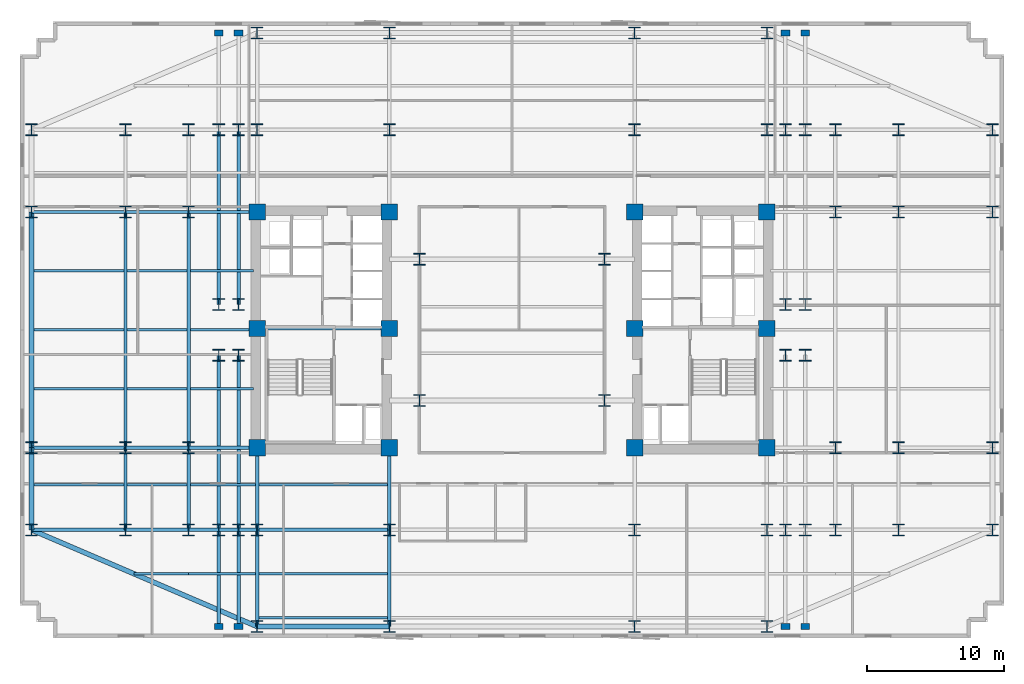
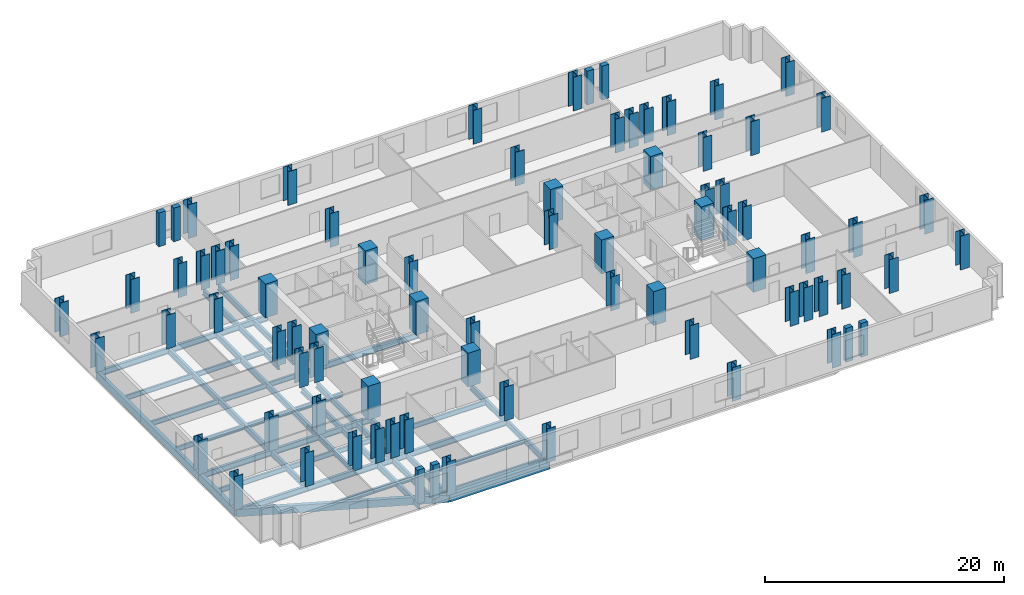
# One storey, part 1 of 10: 80 columns, 46 beams.
"""IFC4 building model written with IfcOpenShell, lengths in metres."""

from ifc_helpers import new_model, si_unit, direction, frame, origin, origin_2d, place, context, subcontext, project, spatial, rectangle, i_section, extrude, material, material_profile, profile_set, type_object, element, save


model = new_model("IFC4")

# Units and contexts
model_context = context("Model", 3, precision=1e-05, world=origin(), true_north=direction((0.0, 1.0)))
body_context = subcontext(model_context, "Body", "Model", "MODEL_VIEW")
ifc_project = project(units=[si_unit("LENGTHUNIT", "METRE"), si_unit("AREAUNIT", "SQUARE_METRE"), si_unit("VOLUMEUNIT", "CUBIC_METRE"), si_unit("PLANEANGLEUNIT", "RADIAN"), si_unit("MASSUNIT", "GRAM", prefix="KILO")], contexts=[model_context])

# Site, building, storey
site_placement = place(None, origin())
site = spatial("IfcSite", under=ifc_project, at=site_placement, CompositionType="ELEMENT")
building_placement = place(site_placement, origin())
building = spatial("IfcBuilding", under=site, at=building_placement, Name="Velakula Bourse", CompositionType="ELEMENT")
storey_placement = place(building_placement, frame((0.0, 0.0, 55.35009765625)))
storey = spatial("IfcBuildingStorey", under=building, at=storey_placement, Name="L14", CompositionType="ELEMENT", Elevation=55.35009765625)

# Columns
ifc_material_1 = material(Name="Concrete M70 (fck 70 MPa)", Category="concrete")
ifc_material_profile_1 = material_profile(ifc_material_1, rectangle(XDim=1.199951171875, YDim=1.199951171875, at=origin_2d()), Name="Concrete M70 (fck 70 MPa)")
ifc_profile_set_1 = profile_set([ifc_material_profile_1], Name="Concrete M70 (fck 70 MPa)")
column_type_1 = type_object("IfcColumnType", Name="COL-RC-1200", PredefinedType="COLUMN", material=ifc_profile_set_1)
for number, where, z_axis, x_axis, name in (
    (1, (-8.949951171875, -8.60009765625, 0.0), (0.0, 0.0, 1.0), (1.0, 0.0, 0.0), "L14 Core Boundary Column 01"),
    (2, (-8.949951171875, 0.10009765625, 0.0), (0.0, 0.0, 1.0), (1.0, 0.0, 0.0), "L14 Core Boundary Column 02"),
    (3, (-8.949951171875, 8.60009765625, 0.0), (0.0, 0.0, 1.0), (1.0, 0.0, 0.0), "L14 Core Boundary Column 03"),
    (4, (-18.60009765625, -8.60009765625, 0.0), (0.0, 0.0, 1.0), (1.0, 0.0, 0.0), "L14 Core Boundary Column 04"),
    (5, (-18.60009765625, 0.10009765625, 0.0), (0.0, 0.0, 1.0), (1.0, 0.0, 0.0), "L14 Core Boundary Column 05"),
    (6, (-18.60009765625, 8.60009765625, 0.0), (0.0, 0.0, 1.0), (1.0, 0.0, 0.0), "L14 Core Boundary Column 06"),
    (7, (8.949951171875, -8.60009765625, 0.0), (0.0, 0.0, 1.0), (1.0, 0.0, 0.0), "L14 Core Boundary Column 07"),
    (8, (8.949951171875, 0.10009765625, 0.0), (0.0, 0.0, 1.0), (1.0, 0.0, 0.0), "L14 Core Boundary Column 08"),
    (9, (8.949951171875, 8.60009765625, 0.0), (0.0, 0.0, 1.0), (1.0, 0.0, 0.0), "L14 Core Boundary Column 09"),
    (10, (18.60009765625, -8.60009765625, 0.0), (0.0, 0.0, 1.0), (1.0, 0.0, 0.0), "L14 Core Boundary Column 10"),
    (11, (18.60009765625, 0.10009765625, 0.0), (0.0, 0.0, 1.0), (1.0, 0.0, 0.0), "L14 Core Boundary Column 11"),
    (12, (18.60009765625, 8.60009765625, 0.0), (0.0, 0.0, 1.0), (1.0, 0.0, 0.0), "L14 Core Boundary Column 12"),
):
    element("IfcColumn", number, at=place(storey_placement, frame(where, z_axis=z_axis, x_axis=x_axis)), inside=storey, type_object=column_type_1, Name=name, PredefinedType="COLUMN", context=body_context, shape_type="SweptSolid", body=[
        extrude(rectangle(XDim=1.199951171875, YDim=1.199951171875, at=origin_2d()), origin(), (0.0, 0.0, 1.0), 3.449951171875),
    ])
ifc_material_2 = material(Name="Steel IS 2062 Grade 450 (E450)", Category="steel")
ifc_material_profile_2 = material_profile(ifc_material_2, i_section(OverallWidth=0.85009765625, OverallDepth=0.85009765625, WebThickness=0.031982421875, FlangeThickness=0.048095703125, at=origin_2d()), Name="Steel IS 2062 Grade 450 (E450)")
ifc_profile_set_2 = profile_set([ifc_material_profile_2], Name="Steel IS 2062 Grade 450 (E450)")
column_type_2 = type_object("IfcColumnType", Name="COL-STL-850", PredefinedType="COLUMN", material=ifc_profile_set_2)
for number, where, z_axis, x_axis, name in (
    (13, (-6.75, -5.14990234375, 0.0), (0.0, 0.0, 1.0), (1.0, 0.0, 0.0), "L14 Central Spine Column 01"),
    (14, (-6.75, 5.14990234375, 0.0), (0.0, 0.0, 1.0), (1.0, 0.0, 0.0), "L14 Central Spine Column 02"),
    (15, (6.75, -5.14990234375, 0.0), (0.0, 0.0, 1.0), (1.0, 0.0, 0.0), "L14 Central Spine Column 03"),
    (16, (6.75, 5.14990234375, 0.0), (0.0, 0.0, 1.0), (1.0, 0.0, 0.0), "L14 Central Spine Column 04"),
    (17, (-21.39990234375, -14.60009765625, 0.0), (0.0, 0.0, 1.0), (1.0, 0.0, 0.0), "L14 Tower Fulcrum Column 01"),
    (18, (-21.39990234375, 14.60009765625, 0.0), (0.0, 0.0, 1.0), (1.0, 0.0, 0.0), "L14 Tower Fulcrum Column 02"),
    (19, (-19.949951171875, -14.60009765625, 0.0), (0.0, 0.0, 1.0), (1.0, 0.0, 0.0), "L14 Tower Fulcrum Column 03"),
    (20, (-19.949951171875, 14.60009765625, 0.0), (0.0, 0.0, 1.0), (1.0, 0.0, 0.0), "L14 Tower Fulcrum Column 04"),
    (21, (-18.60009765625, -14.60009765625, 0.0), (0.0, 0.0, 1.0), (1.0, 0.0, 0.0), "L14 Tower Fulcrum Column 05"),
    (22, (-18.60009765625, 14.60009765625, 0.0), (0.0, 0.0, 1.0), (1.0, 0.0, 0.0), "L14 Tower Fulcrum Column 06"),
    (23, (-8.949951171875, -14.60009765625, 0.0), (0.0, 0.0, 1.0), (1.0, 0.0, 0.0), "L14 Tower Fulcrum Column 07"),
    (24, (-8.949951171875, 14.60009765625, 0.0), (0.0, 0.0, 1.0), (1.0, 0.0, 0.0), "L14 Tower Fulcrum Column 08"),
    (25, (8.949951171875, -14.60009765625, 0.0), (0.0, 0.0, 1.0), (1.0, 0.0, 0.0), "L14 Tower Fulcrum Column 09"),
    (26, (8.949951171875, 14.60009765625, 0.0), (0.0, 0.0, 1.0), (1.0, 0.0, 0.0), "L14 Tower Fulcrum Column 10"),
    (27, (18.60009765625, -14.60009765625, 0.0), (0.0, 0.0, 1.0), (1.0, 0.0, 0.0), "L14 Tower Fulcrum Column 11"),
    (28, (18.60009765625, 14.60009765625, 0.0), (0.0, 0.0, 1.0), (1.0, 0.0, 0.0), "L14 Tower Fulcrum Column 12"),
    (29, (19.949951171875, -14.60009765625, 0.0), (0.0, 0.0, 1.0), (1.0, 0.0, 0.0), "L14 Tower Fulcrum Column 13"),
    (30, (19.949951171875, 14.60009765625, 0.0), (0.0, 0.0, 1.0), (1.0, 0.0, 0.0), "L14 Tower Fulcrum Column 14"),
    (31, (21.39990234375, -14.60009765625, 0.0), (0.0, 0.0, 1.0), (1.0, 0.0, 0.0), "L14 Tower Fulcrum Column 15"),
    (32, (21.39990234375, 14.60009765625, 0.0), (0.0, 0.0, 1.0), (1.0, 0.0, 0.0), "L14 Tower Fulcrum Column 16"),
    (33, (-21.39990234375, -1.85009765625, 0.0), (0.0, 0.0, 1.0), (1.0, 0.0, 0.0), "L14 Tower Fulcrum Column 17"),
    (34, (-21.39990234375, 1.85009765625, 0.0), (0.0, 0.0, 1.0), (1.0, 0.0, 0.0), "L14 Tower Fulcrum Column 18"),
    (35, (-19.949951171875, -1.85009765625, 0.0), (0.0, 0.0, 1.0), (1.0, 0.0, 0.0), "L14 Tower Fulcrum Column 19"),
    (36, (-19.949951171875, 1.85009765625, 0.0), (0.0, 0.0, 1.0), (1.0, 0.0, 0.0), "L14 Tower Fulcrum Column 20"),
    (37, (19.949951171875, -1.85009765625, 0.0), (0.0, 0.0, 1.0), (1.0, 0.0, 0.0), "L14 Tower Fulcrum Column 21"),
    (38, (19.949951171875, 1.85009765625, 0.0), (0.0, 0.0, 1.0), (1.0, 0.0, 0.0), "L14 Tower Fulcrum Column 22"),
    (39, (21.39990234375, -1.85009765625, 0.0), (0.0, 0.0, 1.0), (1.0, 0.0, 0.0), "L14 Tower Fulcrum Column 23"),
    (40, (21.39990234375, 1.85009765625, 0.0), (0.0, 0.0, 1.0), (1.0, 0.0, 0.0), "L14 Tower Fulcrum Column 24"),
    (41, (-23.60009765625, -14.60009765625, 0.0), (0.0, 0.0, 1.0), (1.0, 0.0, 0.0), "L14 Mid-Wing Plumb Column 01"),
    (42, (-23.60009765625, -8.60009765625, 0.0), (0.0, 0.0, 1.0), (1.0, 0.0, 0.0), "L14 Mid-Wing Plumb Column 02"),
    (43, (-23.60009765625, 8.60009765625, 0.0), (0.0, 0.0, 1.0), (1.0, 0.0, 0.0), "L14 Mid-Wing Plumb Column 03"),
    (44, (-23.60009765625, 14.60009765625, 0.0), (0.0, 0.0, 1.0), (1.0, 0.0, 0.0), "L14 Mid-Wing Plumb Column 04"),
    (45, (23.60009765625, -14.60009765625, 0.0), (0.0, 0.0, 1.0), (1.0, 0.0, 0.0), "L14 Mid-Wing Plumb Column 05"),
    (46, (23.60009765625, -8.60009765625, 0.0), (0.0, 0.0, 1.0), (1.0, 0.0, 0.0), "L14 Mid-Wing Plumb Column 06"),
    (47, (23.60009765625, 8.60009765625, 0.0), (0.0, 0.0, 1.0), (1.0, 0.0, 0.0), "L14 Mid-Wing Plumb Column 07"),
    (48, (23.60009765625, 14.60009765625, 0.0), (0.0, 0.0, 1.0), (1.0, 0.0, 0.0), "L14 Mid-Wing Plumb Column 08"),
    (49, (-28.199951171875, -14.60009765625, 0.0), (0.0, 0.0, 1.0), (1.0, 0.0, 0.0), "L14 Lower Wing Column 01"),
    (50, (-28.199951171875, -8.60009765625, 0.0), (0.0, 0.0, 1.0), (1.0, 0.0, 0.0), "L14 Lower Wing Column 02"),
    (51, (-28.199951171875, 8.60009765625, 0.0), (0.0, 0.0, 1.0), (1.0, 0.0, 0.0), "L14 Lower Wing Column 03"),
    (52, (-28.199951171875, 14.60009765625, 0.0), (0.0, 0.0, 1.0), (1.0, 0.0, 0.0), "L14 Lower Wing Column 04"),
    (53, (28.199951171875, -14.60009765625, 0.0), (0.0, 0.0, 1.0), (1.0, 0.0, 0.0), "L14 Lower Wing Column 05"),
    (54, (28.199951171875, -8.60009765625, 0.0), (0.0, 0.0, 1.0), (1.0, 0.0, 0.0), "L14 Lower Wing Column 06"),
    (55, (28.199951171875, 8.60009765625, 0.0), (0.0, 0.0, 1.0), (1.0, 0.0, 0.0), "L14 Lower Wing Column 07"),
    (56, (28.199951171875, 14.60009765625, 0.0), (0.0, 0.0, 1.0), (1.0, 0.0, 0.0), "L14 Lower Wing Column 08"),
    (57, (-18.60009765625, -21.64990234375, 0.0), (0.0, 0.0, 1.0), (1.0, 0.0, 0.0), "L14 Block B1 Perimeter Column S1"),
    (58, (-8.949951171875, -21.64990234375, 0.0), (0.0, 0.0, 1.0), (1.0, 0.0, 0.0), "L14 Block B1 Perimeter Column S2"),
    (59, (8.949951171875, -21.64990234375, 0.0), (0.0, 0.0, 1.0), (1.0, 0.0, 0.0), "L14 Block B1 Perimeter Column S3"),
    (60, (18.60009765625, -21.64990234375, 0.0), (0.0, 0.0, 1.0), (1.0, 0.0, 0.0), "L14 Block B1 Perimeter Column S4"),
    (61, (-18.60009765625, 21.64990234375, 0.0), (0.0, 0.0, 1.0), (1.0, 0.0, 0.0), "L14 Block B1 Perimeter Column N1"),
    (62, (-8.949951171875, 21.64990234375, 0.0), (0.0, 0.0, 1.0), (1.0, 0.0, 0.0), "L14 Block B1 Perimeter Column N2"),
    (63, (8.949951171875, 21.64990234375, 0.0), (0.0, 0.0, 1.0), (1.0, 0.0, 0.0), "L14 Block B1 Perimeter Column N3"),
    (64, (18.60009765625, 21.64990234375, 0.0), (0.0, 0.0, 1.0), (1.0, 0.0, 0.0), "L14 Block B1 Perimeter Column N4"),
    (65, (-35.050048828125, -14.60009765625, 0.0), (0.0, 0.0, 1.0), (1.0, 0.0, 0.0), "L14 Block B1 Perimeter Column W1"),
    (66, (-35.050048828125, -8.60009765625, 0.0), (0.0, 0.0, 1.0), (1.0, 0.0, 0.0), "L14 Block B1 Perimeter Column W2"),
    (67, (-35.050048828125, 8.60009765625, 0.0), (0.0, 0.0, 1.0), (1.0, 0.0, 0.0), "L14 Block B1 Perimeter Column W3"),
    (68, (-35.050048828125, 14.60009765625, 0.0), (0.0, 0.0, 1.0), (1.0, 0.0, 0.0), "L14 Block B1 Perimeter Column W4"),
    (69, (35.050048828125, -14.60009765625, 0.0), (0.0, 0.0, 1.0), (1.0, 0.0, 0.0), "L14 Block B1 Perimeter Column E1"),
    (70, (35.050048828125, -8.60009765625, 0.0), (0.0, 0.0, 1.0), (1.0, 0.0, 0.0), "L14 Block B1 Perimeter Column E2"),
    (71, (35.050048828125, 8.60009765625, 0.0), (0.0, 0.0, 1.0), (1.0, 0.0, 0.0), "L14 Block B1 Perimeter Column E3"),
    (72, (35.050048828125, 14.60009765625, 0.0), (0.0, 0.0, 1.0), (1.0, 0.0, 0.0), "L14 Block B1 Perimeter Column E4"),
):
    element("IfcColumn", number, at=place(storey_placement, frame(where, z_axis=z_axis, x_axis=x_axis)), inside=storey, type_object=column_type_2, Name=name, PredefinedType="COLUMN", context=body_context, shape_type="SweptSolid", body=[
        extrude(i_section(OverallWidth=0.85009765625, OverallDepth=0.85009765625, WebThickness=0.031982421875, FlangeThickness=0.048095703125, at=origin_2d()), origin(), (0.0, 0.0, 1.0), 3.449951171875),
    ])
ifc_material_3 = material(Name="Precast concrete M45 (fck 45 MPa)", Category="concrete")
ifc_material_profile_3 = material_profile(ifc_material_3, rectangle(XDim=0.64990234375, YDim=0.449951171875, at=origin_2d()), Name="Precast concrete M45 (fck 45 MPa)")
ifc_profile_set_3 = profile_set([ifc_material_profile_3], Name="Precast concrete M45 (fck 45 MPa)")
column_type_3 = type_object("IfcColumnType", Name="PIL-BRICK-650", PredefinedType="PILASTER", material=ifc_profile_set_3)
for number, where, z_axis, x_axis, name in (
    (73, (-21.39990234375, -21.64990234375, 0.0), (0.0, 0.0, 1.0), (1.0, 0.0, 0.0), "L14 Brick Pier Pilaster 01"),
    (74, (-19.949951171875, -21.64990234375, 0.0), (0.0, 0.0, 1.0), (1.0, 0.0, 0.0), "L14 Brick Pier Pilaster 02"),
    (75, (19.949951171875, -21.64990234375, 0.0), (0.0, 0.0, 1.0), (1.0, 0.0, 0.0), "L14 Brick Pier Pilaster 03"),
    (76, (21.39990234375, -21.64990234375, 0.0), (0.0, 0.0, 1.0), (1.0, 0.0, 0.0), "L14 Brick Pier Pilaster 04"),
    (77, (-21.39990234375, 21.64990234375, 0.0), (0.0, 0.0, 1.0), (1.0, 0.0, 0.0), "L14 Brick Pier Pilaster 05"),
    (78, (-19.949951171875, 21.64990234375, 0.0), (0.0, 0.0, 1.0), (1.0, 0.0, 0.0), "L14 Brick Pier Pilaster 06"),
    (79, (19.949951171875, 21.64990234375, 0.0), (0.0, 0.0, 1.0), (1.0, 0.0, 0.0), "L14 Brick Pier Pilaster 07"),
    (80, (21.39990234375, 21.64990234375, 0.0), (0.0, 0.0, 1.0), (1.0, 0.0, 0.0), "L14 Brick Pier Pilaster 08"),
):
    element("IfcColumn", number, at=place(storey_placement, frame(where, z_axis=z_axis, x_axis=x_axis)), inside=storey, type_object=column_type_3, Name=name, PredefinedType="PILASTER", context=body_context, shape_type="SweptSolid", body=[
        extrude(rectangle(XDim=0.64990234375, YDim=0.449951171875, at=origin_2d()), origin(), (0.0, 0.0, 1.0), 3.449951171875),
    ])

# Beams
ifc_material_4 = material(Name="Steel IS 2062 Grade 350 (E350)", Category="steel")
ifc_material_profile_4 = material_profile(ifc_material_4, i_section(OverallWidth=0.25, OverallDepth=0.60009765625, WebThickness=0.01171875, FlangeThickness=0.023681640625, at=origin_2d()), Name="Steel IS 2062 Grade 350 (E350)")
ifc_profile_set_4 = profile_set([ifc_material_profile_4], Name="Steel IS 2062 Grade 350 (E350)")
beam_type_1 = type_object("IfcBeamType", Name="BM-GRD-600H", PredefinedType="BEAM", material=ifc_profile_set_4)
beam_1_placement = place(storey_placement, frame((-18.60009765625, 0.10009765625, -0.47998046875), z_axis=(1.0, 0.0, 0.0), x_axis=(0.0, 1.0, 0.0)))
element("IfcBeam", 81, at=beam_1_placement, inside=storey, type_object=beam_type_1, Name="L14 Primary Backbone Girder CRW-M", PredefinedType="BEAM", context=body_context, shape_type="SweptSolid", body=[
    extrude(i_section(OverallWidth=0.25, OverallDepth=0.60009765625, WebThickness=0.01171875, FlangeThickness=0.023681640625, at=origin_2d()), origin(), (0.0, 0.0, 1.0), 9.650146484375),
])
for number, where, z_axis, x_axis, name in (
    (82, (-18.60009765625, -14.60009765625, -0.47998046875), (0.0, 1.0, 0.0), (-1.0, 0.0, 0.0), "L14 Fulcrum Grid Girder FLC-WS"),
    (83, (-8.949951171875, -14.60009765625, -0.47998046875), (0.0, 1.0, 0.0), (-1.0, 0.0, 0.0), "L14 Fulcrum Grid Girder FLC-WCS"),
):
    element("IfcBeam", number, at=place(storey_placement, frame(where, z_axis=z_axis, x_axis=x_axis)), inside=storey, type_object=beam_type_1, Name=name, PredefinedType="BEAM", context=body_context, shape_type="SweptSolid", body=[
        extrude(i_section(OverallWidth=0.25, OverallDepth=0.60009765625, WebThickness=0.01171875, FlangeThickness=0.023681640625, at=origin_2d()), origin(), (0.0, 0.0, 1.0), 6.0),
    ])
beam_2_placement = place(storey_placement, frame((-18.60009765625, -14.60009765625, -0.47998046875), z_axis=(1.0, 0.0, 0.0), x_axis=(0.0, 1.0, 0.0)))
element("IfcBeam", 84, at=beam_2_placement, inside=storey, type_object=beam_type_1, Name="L14 Fulcrum Grid Girder FLC-S1", PredefinedType="BEAM", context=body_context, shape_type="SweptSolid", body=[
    extrude(i_section(OverallWidth=0.25, OverallDepth=0.60009765625, WebThickness=0.01171875, FlangeThickness=0.023681640625, at=origin_2d()), origin(), (0.0, 0.0, 1.0), 9.650146484375),
])
for number, where, z_axis, x_axis, name in (
    (85, (-21.39990234375, -14.60009765625, -0.47998046875), (0.0, 1.0, 0.0), (-1.0, 0.0, 0.0), "L14 Fulcrum Grid Girder FLC-PSW1"),
    (86, (-21.39990234375, 1.85009765625, -0.47998046875), (0.0, 1.0, 0.0), (-1.0, 0.0, 0.0), "L14 Fulcrum Grid Girder FLC-PNW1"),
    (87, (-19.949951171875, -14.60009765625, -0.47998046875), (0.0, 1.0, 0.0), (-1.0, 0.0, 0.0), "L14 Fulcrum Grid Girder FLC-PSW2"),
    (88, (-19.949951171875, 1.85009765625, -0.47998046875), (0.0, 1.0, 0.0), (-1.0, 0.0, 0.0), "L14 Fulcrum Grid Girder FLC-PNW2"),
):
    element("IfcBeam", number, at=place(storey_placement, frame(where, z_axis=z_axis, x_axis=x_axis)), inside=storey, type_object=beam_type_1, Name=name, PredefinedType="BEAM", context=body_context, shape_type="SweptSolid", body=[
        extrude(i_section(OverallWidth=0.25, OverallDepth=0.60009765625, WebThickness=0.01171875, FlangeThickness=0.023681640625, at=origin_2d()), origin(), (0.0, 0.0, 1.0), 12.75),
    ])
for number, where, z_axis, x_axis, name in (
    (89, (-23.60009765625, -14.60009765625, -0.47998046875), (1.0, 0.0, 0.0), (0.0, 1.0, 0.0), "L14 Fulcrum Grid Girder MWG-WS1"),
    (90, (-23.60009765625, -8.60009765625, -0.47998046875), (1.0, 0.0, 0.0), (0.0, 1.0, 0.0), "L14 Fulcrum Grid Girder MWG-WS2"),
    (91, (-23.60009765625, 8.60009765625, -0.47998046875), (1.0, 0.0, 0.0), (0.0, 1.0, 0.0), "L14 Fulcrum Grid Girder MWG-WN1"),
):
    element("IfcBeam", number, at=place(storey_placement, frame(where, z_axis=z_axis, x_axis=x_axis)), inside=storey, type_object=beam_type_1, Name=name, PredefinedType="BEAM", context=body_context, shape_type="SweptSolid", body=[
        extrude(i_section(OverallWidth=0.25, OverallDepth=0.60009765625, WebThickness=0.01171875, FlangeThickness=0.023681640625, at=origin_2d()), origin(), (0.0, 0.0, 1.0), 5.0),
    ])
beam_3_placement = place(storey_placement, frame((-23.60009765625, -14.60009765625, -0.47998046875), z_axis=(0.0, 1.0, 0.0), x_axis=(-1.0, 0.0, 0.0)))
element("IfcBeam", 92, at=beam_3_placement, inside=storey, type_object=beam_type_1, Name="L14 Fulcrum Grid Girder MWG-WNS1", PredefinedType="BEAM", context=body_context, shape_type="SweptSolid", body=[
    extrude(i_section(OverallWidth=0.25, OverallDepth=0.60009765625, WebThickness=0.01171875, FlangeThickness=0.023681640625, at=origin_2d()), origin(), (0.0, 0.0, 1.0), 6.0),
])
beam_4_placement = place(storey_placement, frame((-23.60009765625, -8.60009765625, -0.47998046875), z_axis=(0.0, 1.0, 0.0), x_axis=(-1.0, 0.0, 0.0)))
element("IfcBeam", 93, at=beam_4_placement, inside=storey, type_object=beam_type_1, Name="L14 Fulcrum Grid Girder MWG-WNS2", PredefinedType="BEAM", context=body_context, shape_type="SweptSolid", body=[
    extrude(i_section(OverallWidth=0.25, OverallDepth=0.60009765625, WebThickness=0.01171875, FlangeThickness=0.023681640625, at=origin_2d()), origin(), (0.0, 0.0, 1.0), 17.2001953125),
])
for number, where, z_axis, x_axis, name in (
    (94, (-28.199951171875, -14.60009765625, -0.47998046875), (1.0, 0.0, 0.0), (0.0, 1.0, 0.0), "L14 Fulcrum Grid Girder WNG-WS1"),
    (95, (-28.199951171875, -8.60009765625, -0.47998046875), (1.0, 0.0, 0.0), (0.0, 1.0, 0.0), "L14 Fulcrum Grid Girder WNG-WS2"),
    (96, (-28.199951171875, 8.60009765625, -0.47998046875), (1.0, 0.0, 0.0), (0.0, 1.0, 0.0), "L14 Fulcrum Grid Girder WNG-WN1"),
):
    element("IfcBeam", number, at=place(storey_placement, frame(where, z_axis=z_axis, x_axis=x_axis)), inside=storey, type_object=beam_type_1, Name=name, PredefinedType="BEAM", context=body_context, shape_type="SweptSolid", body=[
        extrude(i_section(OverallWidth=0.25, OverallDepth=0.60009765625, WebThickness=0.01171875, FlangeThickness=0.023681640625, at=origin_2d()), origin(), (0.0, 0.0, 1.0), 4.599853515625),
    ])
beam_5_placement = place(storey_placement, frame((-28.199951171875, -14.60009765625, -0.47998046875), z_axis=(0.0, 1.0, 0.0), x_axis=(-1.0, 0.0, 0.0)))
element("IfcBeam", 97, at=beam_5_placement, inside=storey, type_object=beam_type_1, Name="L14 Fulcrum Grid Girder WNG-WNS1", PredefinedType="BEAM", context=body_context, shape_type="SweptSolid", body=[
    extrude(i_section(OverallWidth=0.25, OverallDepth=0.60009765625, WebThickness=0.01171875, FlangeThickness=0.023681640625, at=origin_2d()), origin(), (0.0, 0.0, 1.0), 6.0),
])
beam_6_placement = place(storey_placement, frame((-28.199951171875, -8.60009765625, -0.47998046875), z_axis=(0.0, 1.0, 0.0), x_axis=(-1.0, 0.0, 0.0)))
element("IfcBeam", 98, at=beam_6_placement, inside=storey, type_object=beam_type_1, Name="L14 Fulcrum Grid Girder WNG-WNS2", PredefinedType="BEAM", context=body_context, shape_type="SweptSolid", body=[
    extrude(i_section(OverallWidth=0.25, OverallDepth=0.60009765625, WebThickness=0.01171875, FlangeThickness=0.023681640625, at=origin_2d()), origin(), (0.0, 0.0, 1.0), 17.2001953125),
])
for number, where, z_axis, x_axis, name in (
    (99, (-18.60009765625, -14.60009765625, -0.47998046875), (0.0, -1.0, 0.0), (1.0, 0.0, 0.0), "L14 Perimeter Tie Girder S1"),
    (100, (-8.949951171875, -14.60009765625, -0.47998046875), (0.0, -1.0, 0.0), (1.0, 0.0, 0.0), "L14 Perimeter Tie Girder S2"),
):
    element("IfcBeam", number, at=place(storey_placement, frame(where, z_axis=z_axis, x_axis=x_axis)), inside=storey, type_object=beam_type_1, Name=name, PredefinedType="BEAM", context=body_context, shape_type="SweptSolid", body=[
        extrude(i_section(OverallWidth=0.25, OverallDepth=0.60009765625, WebThickness=0.01171875, FlangeThickness=0.023681640625, at=origin_2d()), origin(), (0.0, 0.0, 1.0), 7.0498046875),
    ])
for number, where, z_axis, x_axis, name in (
    (101, (-28.199951171875, -14.60009765625, -0.47998046875), (-1.0, 0.0, 0.0), (0.0, -1.0, 0.0), "L14 Perimeter Tie Girder W1"),
    (102, (-28.199951171875, -8.60009765625, -0.47998046875), (-1.0, 0.0, 0.0), (0.0, -1.0, 0.0), "L14 Perimeter Tie Girder W2"),
    (103, (-28.199951171875, 8.60009765625, -0.47998046875), (-1.0, 0.0, 0.0), (0.0, -1.0, 0.0), "L14 Perimeter Tie Girder W3"),
):
    element("IfcBeam", number, at=place(storey_placement, frame(where, z_axis=z_axis, x_axis=x_axis)), inside=storey, type_object=beam_type_1, Name=name, PredefinedType="BEAM", context=body_context, shape_type="SweptSolid", body=[
        extrude(i_section(OverallWidth=0.25, OverallDepth=0.60009765625, WebThickness=0.01171875, FlangeThickness=0.023681640625, at=origin_2d()), origin(), (0.0, 0.0, 1.0), 6.85009765625),
    ])
for number, where, z_axis, x_axis, name in (
    (104, (-21.39990234375, -14.60009765625, -0.47998046875), (0.0, -1.0, 0.0), (1.0, 0.0, 0.0), "L14 Perimeter Tie Girder P01"),
    (105, (-19.949951171875, -14.60009765625, -0.47998046875), (0.0, -1.0, 0.0), (1.0, 0.0, 0.0), "L14 Perimeter Tie Girder P02"),
):
    element("IfcBeam", number, at=place(storey_placement, frame(where, z_axis=z_axis, x_axis=x_axis)), inside=storey, type_object=beam_type_1, Name=name, PredefinedType="BEAM", context=body_context, shape_type="SweptSolid", body=[
        extrude(i_section(OverallWidth=0.25, OverallDepth=0.60009765625, WebThickness=0.01171875, FlangeThickness=0.023681640625, at=origin_2d()), origin(), (0.0, 0.0, 1.0), 7.0498046875),
    ])
ifc_material_profile_5 = material_profile(ifc_material_4, i_section(OverallWidth=0.179931640625, OverallDepth=0.5, WebThickness=0.01025390625, FlangeThickness=0.01708984375, at=origin_2d()), Name="Steel IS 2062 Grade 350 (E350)")
ifc_profile_set_5 = profile_set([ifc_material_profile_5], Name="Steel IS 2062 Grade 350 (E350)")
beam_type_2 = type_object("IfcBeamType", Name="JST-TWR-500", PredefinedType="JOIST", material=ifc_profile_set_5)
beam_7_placement = place(storey_placement, frame((-18.47509765625, -21.0, -0.43017578125), z_axis=(1.0, 0.0, 0.0), x_axis=(0.0, 1.0, 0.0)))
element("IfcBeam", 106, at=beam_7_placement, inside=storey, type_object=beam_type_2, Name="L14 Trading Floor Composite Joist 01", PredefinedType="JOIST", context=body_context, shape_type="SweptSolid", body=[
    extrude(i_section(OverallWidth=0.179931640625, OverallDepth=0.5, WebThickness=0.01025390625, FlangeThickness=0.01708984375, at=origin_2d()), origin(), (0.0, 0.0, 1.0), 9.400146484375),
])
beam_8_placement = place(storey_placement, frame((-27.583251953125, -17.800048828125, -0.43017578125), z_axis=(1.0, 0.0, 0.0), x_axis=(0.0, 1.0, 0.0)))
element("IfcBeam", 107, at=beam_8_placement, inside=storey, type_object=beam_type_2, Name="L14 Trading Floor Composite Joist 04", PredefinedType="JOIST", context=body_context, shape_type="SweptSolid", body=[
    extrude(i_section(OverallWidth=0.179931640625, OverallDepth=0.5, WebThickness=0.01025390625, FlangeThickness=0.01708984375, at=origin_2d()), origin(), (0.0, 0.0, 1.0), 3.983154296875),
])
beam_9_placement = place(storey_placement, frame((-23.60009765625, -17.800048828125, -0.43017578125), z_axis=(1.0, 0.0, 0.0), x_axis=(0.0, 1.0, 0.0)))
element("IfcBeam", 108, at=beam_9_placement, inside=storey, type_object=beam_type_2, Name="L14 Trading Floor Composite Joist 05", PredefinedType="JOIST", context=body_context, shape_type="SweptSolid", body=[
    extrude(i_section(OverallWidth=0.179931640625, OverallDepth=0.5, WebThickness=0.01025390625, FlangeThickness=0.01708984375, at=origin_2d()), origin(), (0.0, 0.0, 1.0), 4.875),
])
beam_10_placement = place(storey_placement, frame((-18.47509765625, -17.800048828125, -0.43017578125), z_axis=(1.0, 0.0, 0.0), x_axis=(0.0, 1.0, 0.0)))
element("IfcBeam", 109, at=beam_10_placement, inside=storey, type_object=beam_type_2, Name="L14 Trading Floor Composite Joist 06", PredefinedType="JOIST", context=body_context, shape_type="SweptSolid", body=[
    extrude(i_section(OverallWidth=0.179931640625, OverallDepth=0.5, WebThickness=0.01025390625, FlangeThickness=0.01708984375, at=origin_2d()), origin(), (0.0, 0.0, 1.0), 9.400146484375),
])
beam_11_placement = place(storey_placement, frame((-34.875, -11.300048828125, -0.43017578125), z_axis=(1.0, 0.0, 0.0), x_axis=(0.0, 1.0, 0.0)))
element("IfcBeam", 110, at=beam_11_placement, inside=storey, type_object=beam_type_2, Name="L14 Trading Floor Composite Joist 11", PredefinedType="JOIST", context=body_context, shape_type="SweptSolid", body=[
    extrude(i_section(OverallWidth=0.179931640625, OverallDepth=0.5, WebThickness=0.01025390625, FlangeThickness=0.01708984375, at=origin_2d()), origin(), (0.0, 0.0, 1.0), 6.550048828125),
])
beam_12_placement = place(storey_placement, frame((-28.074951171875, -11.300048828125, -0.43017578125), z_axis=(1.0, 0.0, 0.0), x_axis=(0.0, 1.0, 0.0)))
element("IfcBeam", 111, at=beam_12_placement, inside=storey, type_object=beam_type_2, Name="L14 Trading Floor Composite Joist 12", PredefinedType="JOIST", context=body_context, shape_type="SweptSolid", body=[
    extrude(i_section(OverallWidth=0.179931640625, OverallDepth=0.5, WebThickness=0.01025390625, FlangeThickness=0.01708984375, at=origin_2d()), origin(), (0.0, 0.0, 1.0), 4.349853515625),
])
beam_13_placement = place(storey_placement, frame((-23.47509765625, -11.300048828125, -0.43017578125), z_axis=(1.0, 0.0, 0.0), x_axis=(0.0, 1.0, 0.0)))
element("IfcBeam", 112, at=beam_13_placement, inside=storey, type_object=beam_type_2, Name="L14 Trading Floor Composite Joist 13", PredefinedType="JOIST", context=body_context, shape_type="SweptSolid", body=[
    extrude(i_section(OverallWidth=0.179931640625, OverallDepth=0.5, WebThickness=0.01025390625, FlangeThickness=0.01708984375, at=origin_2d()), origin(), (0.0, 0.0, 1.0), 4.75),
])
beam_14_placement = place(storey_placement, frame((-18.47509765625, -11.300048828125, -0.43017578125), z_axis=(1.0, 0.0, 0.0), x_axis=(0.0, 1.0, 0.0)))
element("IfcBeam", 113, at=beam_14_placement, inside=storey, type_object=beam_type_2, Name="L14 Trading Floor Composite Joist 14", PredefinedType="JOIST", context=body_context, shape_type="SweptSolid", body=[
    extrude(i_section(OverallWidth=0.179931640625, OverallDepth=0.5, WebThickness=0.01025390625, FlangeThickness=0.01708984375, at=origin_2d()), origin(), (0.0, 0.0, 1.0), 9.400146484375),
])
beam_15_placement = place(storey_placement, frame((-34.875, -4.300048828125, -0.43017578125), z_axis=(1.0, 0.0, 0.0), x_axis=(0.0, 1.0, 0.0)))
element("IfcBeam", 114, at=beam_15_placement, inside=storey, type_object=beam_type_2, Name="L14 Trading Floor Composite Joist 41", PredefinedType="JOIST", context=body_context, shape_type="SweptSolid", body=[
    extrude(i_section(OverallWidth=0.179931640625, OverallDepth=0.5, WebThickness=0.01025390625, FlangeThickness=0.01708984375, at=origin_2d()), origin(), (0.0, 0.0, 1.0), 6.550048828125),
])
beam_16_placement = place(storey_placement, frame((-28.074951171875, -4.300048828125, -0.43017578125), z_axis=(1.0, 0.0, 0.0), x_axis=(0.0, 1.0, 0.0)))
element("IfcBeam", 115, at=beam_16_placement, inside=storey, type_object=beam_type_2, Name="L14 Trading Floor Composite Joist 42", PredefinedType="JOIST", context=body_context, shape_type="SweptSolid", body=[
    extrude(i_section(OverallWidth=0.179931640625, OverallDepth=0.5, WebThickness=0.01025390625, FlangeThickness=0.01708984375, at=origin_2d()), origin(), (0.0, 0.0, 1.0), 4.349853515625),
])
beam_17_placement = place(storey_placement, frame((-23.47509765625, -4.300048828125, -0.43017578125), z_axis=(1.0, 0.0, 0.0), x_axis=(0.0, 1.0, 0.0)))
element("IfcBeam", 116, at=beam_17_placement, inside=storey, type_object=beam_type_2, Name="L14 Trading Floor Composite Joist 43", PredefinedType="JOIST", context=body_context, shape_type="SweptSolid", body=[
    extrude(i_section(OverallWidth=0.179931640625, OverallDepth=0.5, WebThickness=0.01025390625, FlangeThickness=0.01708984375, at=origin_2d()), origin(), (0.0, 0.0, 1.0), 4.625),
])
beam_18_placement = place(storey_placement, frame((-34.875, 0.0, -0.43017578125), z_axis=(1.0, 0.0, 0.0), x_axis=(0.0, 1.0, 0.0)))
element("IfcBeam", 117, at=beam_18_placement, inside=storey, type_object=beam_type_2, Name="L14 Trading Floor Composite Joist 47", PredefinedType="JOIST", context=body_context, shape_type="SweptSolid", body=[
    extrude(i_section(OverallWidth=0.179931640625, OverallDepth=0.5, WebThickness=0.01025390625, FlangeThickness=0.01708984375, at=origin_2d()), origin(), (0.0, 0.0, 1.0), 6.550048828125),
])
beam_19_placement = place(storey_placement, frame((-28.074951171875, 0.0, -0.43017578125), z_axis=(1.0, 0.0, 0.0), x_axis=(0.0, 1.0, 0.0)))
element("IfcBeam", 118, at=beam_19_placement, inside=storey, type_object=beam_type_2, Name="L14 Trading Floor Composite Joist 48", PredefinedType="JOIST", context=body_context, shape_type="SweptSolid", body=[
    extrude(i_section(OverallWidth=0.179931640625, OverallDepth=0.5, WebThickness=0.01025390625, FlangeThickness=0.01708984375, at=origin_2d()), origin(), (0.0, 0.0, 1.0), 4.349853515625),
])
beam_20_placement = place(storey_placement, frame((-23.47509765625, 0.0, -0.43017578125), z_axis=(1.0, 0.0, 0.0), x_axis=(0.0, 1.0, 0.0)))
element("IfcBeam", 119, at=beam_20_placement, inside=storey, type_object=beam_type_2, Name="L14 Trading Floor Composite Joist 49", PredefinedType="JOIST", context=body_context, shape_type="SweptSolid", body=[
    extrude(i_section(OverallWidth=0.179931640625, OverallDepth=0.5, WebThickness=0.01025390625, FlangeThickness=0.01708984375, at=origin_2d()), origin(), (0.0, 0.0, 1.0), 4.625),
])
beam_21_placement = place(storey_placement, frame((-34.875, 4.300048828125, -0.43017578125), z_axis=(1.0, 0.0, 0.0), x_axis=(0.0, 1.0, 0.0)))
element("IfcBeam", 120, at=beam_21_placement, inside=storey, type_object=beam_type_2, Name="L14 Trading Floor Composite Joist 53", PredefinedType="JOIST", context=body_context, shape_type="SweptSolid", body=[
    extrude(i_section(OverallWidth=0.179931640625, OverallDepth=0.5, WebThickness=0.01025390625, FlangeThickness=0.01708984375, at=origin_2d()), origin(), (0.0, 0.0, 1.0), 6.550048828125),
])
beam_22_placement = place(storey_placement, frame((-28.074951171875, 4.300048828125, -0.43017578125), z_axis=(1.0, 0.0, 0.0), x_axis=(0.0, 1.0, 0.0)))
element("IfcBeam", 121, at=beam_22_placement, inside=storey, type_object=beam_type_2, Name="L14 Trading Floor Composite Joist 54", PredefinedType="JOIST", context=body_context, shape_type="SweptSolid", body=[
    extrude(i_section(OverallWidth=0.179931640625, OverallDepth=0.5, WebThickness=0.01025390625, FlangeThickness=0.01708984375, at=origin_2d()), origin(), (0.0, 0.0, 1.0), 4.349853515625),
])
beam_23_placement = place(storey_placement, frame((-23.47509765625, 4.300048828125, -0.43017578125), z_axis=(1.0, 0.0, 0.0), x_axis=(0.0, 1.0, 0.0)))
element("IfcBeam", 122, at=beam_23_placement, inside=storey, type_object=beam_type_2, Name="L14 Trading Floor Composite Joist 55", PredefinedType="JOIST", context=body_context, shape_type="SweptSolid", body=[
    extrude(i_section(OverallWidth=0.179931640625, OverallDepth=0.5, WebThickness=0.01025390625, FlangeThickness=0.01708984375, at=origin_2d()), origin(), (0.0, 0.0, 1.0), 4.625),
])
ifc_material_profile_6 = material_profile(ifc_material_3, rectangle(XDim=0.35009765625, YDim=0.75, at=origin_2d()), Name="Precast concrete M45 (fck 45 MPa)")
ifc_profile_set_6 = profile_set([ifc_material_profile_6], Name="Precast concrete M45 (fck 45 MPa)")
beam_type_3 = type_object("IfcBeamType", Name="SPN-BRICK-750", PredefinedType="SPANDREL", material=ifc_profile_set_6)
beam_24_placement = place(storey_placement, frame((-18.60009765625, -21.64990234375, -0.55517578125), z_axis=(1.0, 0.0, 0.0), x_axis=(0.0, 1.0, 0.0)))
element("IfcBeam", 123, at=beam_24_placement, inside=storey, type_object=beam_type_3, Name="L14 Brick-Faced Precast Spandrel S1-S2", PredefinedType="SPANDREL", context=body_context, shape_type="SweptSolid", body=[
    extrude(rectangle(XDim=0.35009765625, YDim=0.75, at=origin_2d()), origin(), (0.0, 0.0, 1.0), 9.650146484375),
])
beam_25_placement = place(storey_placement, frame((-35.050048828125, -14.60009765625, -0.55517578125), z_axis=(0.0, 1.0, 0.0), x_axis=(-1.0, 0.0, 0.0)))
element("IfcBeam", 124, at=beam_25_placement, inside=storey, type_object=beam_type_3, Name="L14 Brick-Faced Precast Spandrel W1-W2", PredefinedType="SPANDREL", context=body_context, shape_type="SweptSolid", body=[
    extrude(rectangle(XDim=0.35009765625, YDim=0.75, at=origin_2d()), origin(), (0.0, 0.0, 1.0), 6.0),
])
beam_26_placement = place(storey_placement, frame((-35.050048828125, -8.60009765625, -0.55517578125), z_axis=(0.0, 1.0, 0.0), x_axis=(-1.0, 0.0, 0.0)))
element("IfcBeam", 125, at=beam_26_placement, inside=storey, type_object=beam_type_3, Name="L14 Brick-Faced Precast Spandrel W2-W3", PredefinedType="SPANDREL", context=body_context, shape_type="SweptSolid", body=[
    extrude(rectangle(XDim=0.35009765625, YDim=0.75, at=origin_2d()), origin(), (0.0, 0.0, 1.0), 17.2001953125),
])
beam_27_placement = place(storey_placement, frame((-35.050048828125, -14.60009765625, -0.55517578125), z_axis=(0.919148557947, -0.393911066642, 0.0), x_axis=(0.393911066642, 0.919148557947, 0.0)))
element("IfcBeam", 126, at=beam_27_placement, inside=storey, type_object=beam_type_3, Name="L14 Brick-Faced Precast Spandrel W1-S1", PredefinedType="SPANDREL", context=body_context, shape_type="SweptSolid", body=[
    extrude(rectangle(XDim=0.35009765625, YDim=0.75, at=origin_2d()), origin(), (0.0, 0.0, 1.0), 17.89697265625),
])

save(model, "model.ifc")
